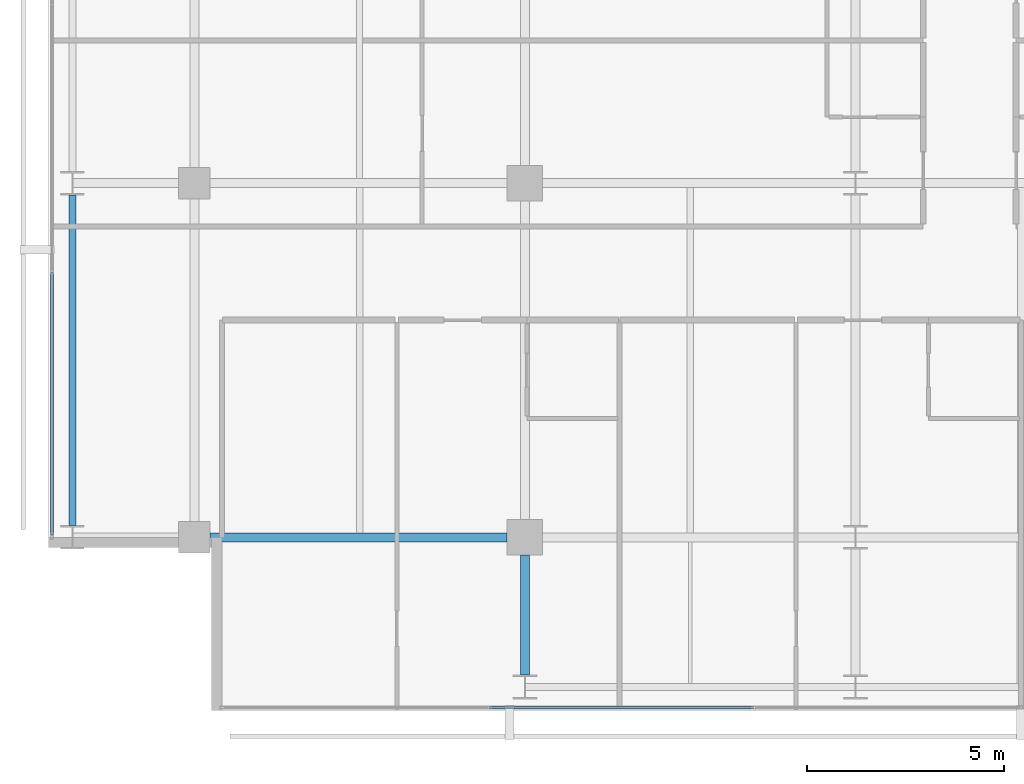
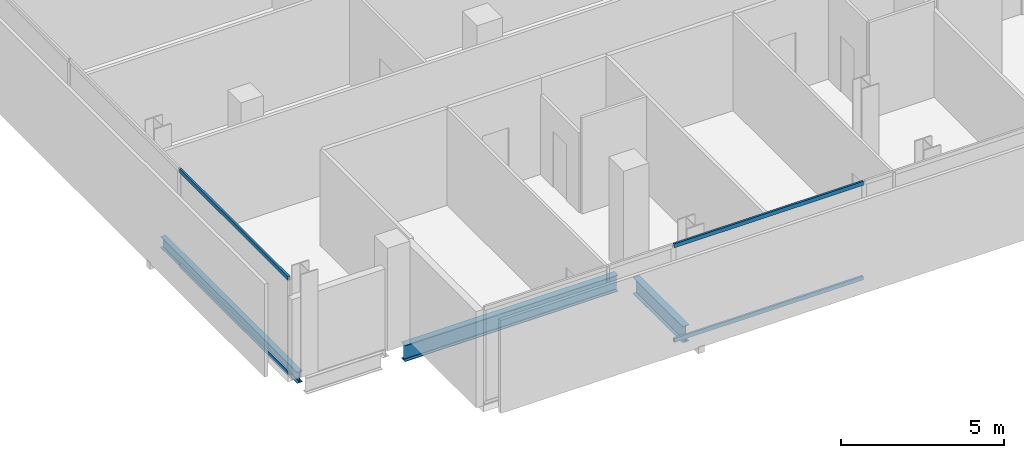
# One storey, part 3 of 33: 4 members, 3 beams, 2 elements without a shape of their own.
"""IFC4 building model written with IfcOpenShell, lengths in metres."""

import ifcopenshell
import ifcopenshell.guid

model = None  # the IFC model being written
_history = None  # IfcOwnerHistory: only IFC2X3 demands one
_inside = {}  # id of a spatial element -> (the spatial element, [elements in it])
_under = {}  # id of a project, library or spatial element -> (it, [spatial elements below it])
_declared = {}  # id of a project -> (the project, [libraries it declares])
_typed = {}  # id of a type object -> (the type object, [elements of that type])
_made_of = {}  # id of a material, layer set ... -> (it, [elements and type objects made of it])


def new_model(schema):
    """Start an empty IFC model of exactly this schema.

    Asked for "IFC4X3", IfcOpenShell would pick the latest addendum, in which some entities
    have other attributes; the version numbers below select the first issue.
    IFC2X3 requires an IfcOwnerHistory on every rooted entity: one is made here for all.
    """
    global model, _history
    if schema == "IFC4X3":
        model = ifcopenshell.file(schema_version=(4, 3, 0, 0))
    else:
        model = ifcopenshell.file(schema=schema)
    _inside.clear()
    _under.clear()
    _declared.clear()
    _typed.clear()
    _made_of.clear()
    _history = None
    if model.schema == "IFC2X3":
        org = make("IfcOrganization", Name="unknown")
        user = make(
            "IfcPersonAndOrganization",
            ThePerson=make("IfcPerson", FamilyName="unknown"),
            TheOrganization=org,
        )
        app = make(
            "IfcApplication",
            ApplicationDeveloper=org,
            Version="unknown",
            ApplicationFullName="unknown",
            ApplicationIdentifier="unknown",
        )
        _history = make(
            "IfcOwnerHistory",
            OwningUser=user,
            OwningApplication=app,
            ChangeAction="ADDED",
            CreationDate=0,
        )
    return model


def make(cls, **values):
    """One entity of the class cls with the attributes given. An attribute that is None is left unset."""
    return model.create_entity(
        cls, **{name: value for name, value in values.items() if value is not None}
    )


def rooted(cls, **values):
    """An entity with a GlobalId (a new one), such as an element, a storey or a relation."""
    return make(cls, GlobalId=ifcopenshell.guid.new(), OwnerHistory=_history, **values)


def si_unit(unit_type, name, prefix=None):
    """IfcSIUnit, for example si_unit("LENGTHUNIT", "METRE", prefix="MILLI")."""
    return make("IfcSIUnit", UnitType=unit_type, Prefix=prefix, Name=name)


def assignment(units):
    """IfcUnitAssignment: the units of a project."""
    return None if units is None else make("IfcUnitAssignment", Units=units)


def point(xyz):
    """IfcCartesianPoint."""
    return None if xyz is None else make("IfcCartesianPoint", Coordinates=xyz)


def direction(xyz):
    """IfcDirection."""
    return None if xyz is None else make("IfcDirection", DirectionRatios=xyz)


def frame(location, z_axis=None, x_axis=None):
    """IfcAxis2Placement3D, a coordinate frame: its origin and axes. An axis left out is left unset."""
    return make(
        "IfcAxis2Placement3D",
        Location=point(location),
        Axis=direction(z_axis),
        RefDirection=direction(x_axis),
    )


def frame_2d(location, x_axis=None):
    """IfcAxis2Placement2D, a coordinate frame in the plane: its origin and x axis."""
    return make(
        "IfcAxis2Placement2D", Location=point(location), RefDirection=direction(x_axis)
    )


def origin():
    """The frame at (0, 0, 0) with its axes left unset."""
    return frame((0.0, 0.0, 0.0))


def origin_2d():
    """The frame at (0, 0) in the plane with its x axis left unset."""
    return frame_2d((0.0, 0.0))


def place(relative_to, where):
    """IfcLocalPlacement: puts the frame where relative to a parent placement (None: the world)."""
    return make(
        "IfcLocalPlacement", PlacementRelTo=relative_to, RelativePlacement=where
    )


def context(
    kind, dimensions, precision=None, world=None, true_north=None, identifier=None
):
    """IfcGeometricRepresentationContext, for example the 3D "Model" context."""
    return make(
        "IfcGeometricRepresentationContext",
        ContextIdentifier=identifier,
        ContextType=kind,
        CoordinateSpaceDimension=dimensions,
        Precision=precision,
        WorldCoordinateSystem=world,
        TrueNorth=true_north,
    )


def subcontext(parent, identifier, kind, view, scale=None):
    """IfcGeometricRepresentationSubContext, for example "Body" below "Model"."""
    return make(
        "IfcGeometricRepresentationSubContext",
        ContextIdentifier=identifier,
        ContextType=kind,
        ParentContext=parent,
        TargetScale=scale,
        TargetView=view,
    )


def project(units=None, contexts=None):
    """IfcProject with its units and contexts."""
    return rooted(
        "IfcProject",
        Name="project",
        RepresentationContexts=contexts,
        UnitsInContext=assignment(units),
    )


def spatial(cls, under=None, at=None, **own):
    """A site, building, storey or space (cls), placed at a placement, below another one or the project."""
    s = rooted(cls, ObjectPlacement=at, **own)
    if under is not None:
        _under.setdefault(under.id(), (under, []))[1].append(s)
    return s


def profile(cls, at=None, kind="AREA", **sizes):
    """A parametric profile (cls). Its sizes go by their IFC names, for example OverallWidth=200.0."""
    return make(cls, ProfileType=kind, Position=at, **sizes)


def hollow_rectangle(**sizes):
    """IfcRectangleHollowProfileDef."""
    return profile("IfcRectangleHollowProfileDef", **sizes)


def i_section(**sizes):
    """IfcIShapeProfileDef."""
    return profile("IfcIShapeProfileDef", **sizes)


def extrude(swept, where, along, depth):
    """IfcExtrudedAreaSolid: the profile swept, set in the frame where, extruded along a direction by depth."""
    return make(
        "IfcExtrudedAreaSolid",
        SweptArea=swept,
        Position=where,
        ExtrudedDirection=direction(along),
        Depth=depth,
    )


def shape(context_of_items, identifier, shape_type, items):
    """IfcShapeRepresentation: the items that make up one representation, for example the "Body"."""
    return make(
        "IfcShapeRepresentation",
        ContextOfItems=context_of_items,
        RepresentationIdentifier=identifier,
        RepresentationType=shape_type,
        Items=items,
    )


def material(Name=None, Category=None):
    """IfcMaterial."""
    return make("IfcMaterial", Name=Name, Category=Category)


def layer(
    of_material, thickness, ventilated=None, Name=None, Category=None, Priority=None
):
    """IfcMaterialLayer: one layer of a wall or slab, of a material (None: an air gap)."""
    return make(
        "IfcMaterialLayer",
        Material=of_material,
        LayerThickness=thickness,
        IsVentilated=ventilated,
        Name=Name,
        Category=Category,
        Priority=Priority,
    )


def layer_set(layers, Name=None):
    """IfcMaterialLayerSet."""
    return make("IfcMaterialLayerSet", MaterialLayers=layers, LayerSetName=Name)


def material_profile(
    of_material, cross_section, Name=None, Category=None, Priority=None
):
    """IfcMaterialProfile: a cross section and its material."""
    return make(
        "IfcMaterialProfile",
        Name=Name,
        Material=of_material,
        Profile=cross_section,
        Priority=Priority,
        Category=Category,
    )


def profile_set(profiles, Name=None, composite=None):
    """IfcMaterialProfileSet."""
    return make(
        "IfcMaterialProfileSet",
        Name=Name,
        MaterialProfiles=profiles,
        CompositeProfile=composite,
    )


def made_of(thing, what):
    """Note that an element or type object is made of a material, layer set ...; save() writes the relation."""
    if what is not None:
        _made_of.setdefault(what.id(), (what, []))[1].append(thing)
    return thing


def type_object(cls, material=None, **own):
    """A type object (cls), such as IfcWallType, which elements share."""
    return made_of(rooted(cls, **own), material)


def element(
    cls,
    number,
    at=None,
    inside=None,
    cuts=None,
    type_object=None,
    material=None,
    context=None,
    identifier="Body",
    shape_type=None,
    held_by="IfcProductDefinitionShape",
    body=None,
    shapes=None,
    **own,
):
    """One element of the class cls, such as IfcWall. Its Tag is "e" and its number.

    at: its placement. inside: the storey or other place that contains it. cuts: it is an
    opening in that element (IfcRelVoidsElement). A single representation is given by context,
    identifier, shape_type and body (its items); several are given by shapes. held_by: the class
    of the entity that holds the representations. save() writes the other relations.
    """
    e = rooted(cls, Tag="e%d" % number, ObjectPlacement=at, **own)
    if body is not None:
        shapes = [shape(context, identifier, shape_type, body)]
    if shapes is not None:
        e.Representation = make(held_by, Representations=shapes)
    if inside is not None:
        _inside.setdefault(inside.id(), (inside, []))[1].append(e)
    if cuts is not None:
        rooted(
            "IfcRelVoidsElement", RelatingBuildingElement=cuts, RelatedOpeningElement=e
        )
    if type_object is not None:
        _typed.setdefault(type_object.id(), (type_object, []))[1].append(e)
    return made_of(e, material)


def aggregate(whole, parts):
    """IfcRelAggregates: a whole, such as a stair, and the parts it consists of."""
    return rooted("IfcRelAggregates", RelatingObject=whole, RelatedObjects=parts)


def save(model, path):
    """Write the relations noted so far, then the file.

    IfcRelAggregates (storeys below a building ...), IfcRelContainedInSpatialStructure (elements
    in a storey), IfcRelDefinesByType, IfcRelAssociatesMaterial and IfcRelDeclares: one each for
    every whole, place, type object, material and project.
    """
    for whole, parts in _under.values():
        aggregate(whole, parts)
    for where, things in _inside.values():
        rooted(
            "IfcRelContainedInSpatialStructure",
            RelatedElements=things,
            RelatingStructure=where,
        )
    for kind, things in _typed.values():
        rooted("IfcRelDefinesByType", RelatedObjects=things, RelatingType=kind)
    for what, things in _made_of.values():
        rooted("IfcRelAssociatesMaterial", RelatedObjects=things, RelatingMaterial=what)
    for by, libraries in _declared.values():
        rooted("IfcRelDeclares", RelatingContext=by, RelatedDefinitions=libraries)
    model.write(path)


model = new_model("IFC4")

# Units and contexts
model_context = context("Model", 3, precision=1e-05, world=origin(), true_north=direction((0.0, 1.0)))
body_context = subcontext(model_context, "Body", "Model", "MODEL_VIEW")
ifc_project = project(units=[si_unit("LENGTHUNIT", "METRE"), si_unit("AREAUNIT", "SQUARE_METRE"), si_unit("VOLUMEUNIT", "CUBIC_METRE"), si_unit("PLANEANGLEUNIT", "RADIAN"), si_unit("MASSUNIT", "GRAM", prefix="KILO")], contexts=[model_context])

# Site, building, storey
site_placement = place(None, origin())
site = spatial("IfcSite", under=ifc_project, at=site_placement, CompositionType="ELEMENT")
building_placement = place(site_placement, origin())
building = spatial("IfcBuilding", under=site, at=building_placement, Name="Maruvema Waterfront Hotel and Observation Tower", CompositionType="ELEMENT")
storey_placement = place(building_placement, frame((0.0, 0.0, 142.800048828125)))
storey = spatial("IfcBuildingStorey", under=building, at=storey_placement, Name="L34", CompositionType="ELEMENT", Elevation=142.800048828125)

# Curtain wall, members
ifc_material_1 = material(Name="Anodised bronze aluminium and solar-control low-E IGU", Category="aluminium")
ifc_layer = layer(ifc_material_1, 0.159912109375, Name="Zone 2 Amber Inner Thermal Curtain Wall System CW-03")
ifc_layer_set = layer_set([ifc_layer], Name="Anodised bronze aluminium and solar-control low-E IGU")
curtain_wall_type = type_object("IfcCurtainWallType", Name="Zone 2 Amber Inner Thermal Curtain Wall System CW-03", PredefinedType="USERDEFINED", material=ifc_layer_set)
curtain_wall_1_placement = place(storey_placement, origin())
curtain_wall_1 = element("IfcCurtainWall", 1, at=curtain_wall_1_placement, inside=storey, type_object=curtain_wall_type, Name="L34 Curtain Wall CW-L34-S", ObjectType="UNITISED CURTAIN WALL", PredefinedType="USERDEFINED")
ifc_material_2 = material(Name="Anodised architectural bronze aluminium", Category="aluminium")
ifc_material_profile_1 = material_profile(ifc_material_2, hollow_rectangle(XDim=0.070068359375, YDim=0.14990234375, WallThickness=0.00390625, at=origin_2d()), Name="ALU-T70x150")
ifc_profile_set_1 = profile_set([ifc_material_profile_1], Name="Anodised architectural bronze aluminium")
member_type = type_object("IfcMemberType", Name="Curtain Wall Horizontal Transom ALU-T70x150", PredefinedType="USERDEFINED", material=ifc_profile_set_1)
member_1_placement = place(storey_placement, frame((24.296630859375, 4.679931640625, 0.030029296875), z_axis=(1.0, 0.0, 0.0), x_axis=(0.0, 1.0, 0.0)))
member_1 = element("IfcMember", 2, at=member_1_placement, type_object=member_type, Name="CW-03 transom 2.1", ObjectType="TRANSOM", PredefinedType="USERDEFINED", context=body_context, shape_type="SweptSolid", body=[
    extrude(hollow_rectangle(XDim=0.070068359375, YDim=0.14990234375, WallThickness=0.00390625, at=origin_2d()), origin(), (0.0, 0.0, 1.0), 6.706787109375),
])
member_2_placement = place(storey_placement, frame((24.296630859375, 4.679931640625, 3.579833984375), z_axis=(1.0, 0.0, 0.0), x_axis=(0.0, 1.0, 0.0)))
member_2 = element("IfcMember", 3, at=member_2_placement, type_object=member_type, Name="CW-03 transom 2.2", ObjectType="TRANSOM", PredefinedType="USERDEFINED", context=body_context, shape_type="SweptSolid", body=[
    extrude(hollow_rectangle(XDim=0.070068359375, YDim=0.14990234375, WallThickness=0.00390625, at=origin_2d()), origin(), (0.0, 0.0, 1.0), 6.706787109375),
])
aggregate(curtain_wall_1, [member_1, member_2])

curtain_wall_2_placement = place(storey_placement, origin())
curtain_wall_2 = element("IfcCurtainWall", 4, at=curtain_wall_2_placement, inside=storey, type_object=curtain_wall_type, Name="L34 Curtain Wall CW-L34-W", ObjectType="UNITISED CURTAIN WALL", PredefinedType="USERDEFINED")
member_3_placement = place(storey_placement, frame((13.179931640625, 15.736572265625, 0.030029296875), z_axis=(0.0, -1.0, 0.0), x_axis=(1.0, 0.0, 0.0)))
member_3 = element("IfcMember", 5, at=member_3_placement, type_object=member_type, Name="CW-03 transom 6.1", ObjectType="TRANSOM", PredefinedType="USERDEFINED", context=body_context, shape_type="SweptSolid", body=[
    extrude(hollow_rectangle(XDim=0.070068359375, YDim=0.14990234375, WallThickness=0.00390625, at=origin_2d()), origin(), (0.0, 0.0, 1.0), 6.676513671875),
])
member_4_placement = place(storey_placement, frame((13.179931640625, 15.736572265625, 3.579833984375), z_axis=(0.0, -1.0, 0.0), x_axis=(1.0, 0.0, 0.0)))
member_4 = element("IfcMember", 6, at=member_4_placement, type_object=member_type, Name="CW-03 transom 6.2", ObjectType="TRANSOM", PredefinedType="USERDEFINED", context=body_context, shape_type="SweptSolid", body=[
    extrude(hollow_rectangle(XDim=0.070068359375, YDim=0.14990234375, WallThickness=0.00390625, at=origin_2d()), origin(), (0.0, 0.0, 1.0), 6.676513671875),
])
aggregate(curtain_wall_2, [member_3, member_4])

# Beams
ifc_material_3 = material(Name="Steel ASTM A572 Grade 50", Category="steel")
ifc_material_profile_2 = material_profile(ifc_material_3, i_section(OverallWidth=0.180908203125, OverallDepth=0.4169921875, WebThickness=0.010986328125, FlangeThickness=0.018310546875, FilletRadius=0.014892578125, at=origin_2d()), Name="W410x85.0")
ifc_profile_set_2 = profile_set([ifc_material_profile_2], Name="Steel ASTM A572 Grade 50")
beam_type_1 = type_object("IfcBeamType", Name="Perimeter Spandrel Beam W410x85.0", PredefinedType="SPANDREL", material=ifc_profile_set_2)
beam_1_placement = place(storey_placement, frame((13.699951171875, 9.300048828125, -0.448486328125), z_axis=(0.0, 1.0, 0.0), x_axis=(-1.0, 0.0, 0.0)))
element("IfcBeam", 7, at=beam_1_placement, inside=storey, type_object=beam_type_1, Name="L34 Floor Girder NS-01", PredefinedType="SPANDREL", context=body_context, shape_type="SweptSolid", body=[
    extrude(i_section(OverallWidth=0.180908203125, OverallDepth=0.4169921875, WebThickness=0.010986328125, FlangeThickness=0.018310546875, FilletRadius=0.014892578125, at=origin_2d()), origin(), (0.0, 0.0, 1.0), 8.39990234375),
])
ifc_material_4 = material(Name="Steel ASTM A572 Grade 50", Category="steel")
ifc_material_profile_3 = material_profile(ifc_material_4, i_section(OverallWidth=0.22900390625, OverallDepth=0.612060546875, WebThickness=0.011962890625, FlangeThickness=0.01953125, FilletRadius=0.01806640625, at=origin_2d()), Name="W610x125.0")
ifc_profile_set_3 = profile_set([ifc_material_profile_3], Name="Steel ASTM A572 Grade 50")
beam_type_2 = type_object("IfcBeamType", Name="Primary Floor Girder W610x125.0", PredefinedType="BEAM", material=ifc_profile_set_3)
beam_2_placement = place(storey_placement, frame((17.199951171875, 9.0, -0.546142578125), z_axis=(1.0, 0.0, 0.0), x_axis=(0.0, 1.0, 0.0)))
element("IfcBeam", 8, at=beam_2_placement, inside=storey, type_object=beam_type_2, Name="L34 Floor Girder EW-05", PredefinedType="BEAM", context=body_context, shape_type="SweptSolid", body=[
    extrude(i_section(OverallWidth=0.22900390625, OverallDepth=0.612060546875, WebThickness=0.011962890625, FlangeThickness=0.01953125, FilletRadius=0.01806640625, at=origin_2d()), origin(), (0.0, 0.0, 1.0), 7.550048828125),
])
beam_3_placement = place(storey_placement, frame((25.199951171875, 5.5, -0.546142578125), z_axis=(0.0, 1.0, 0.0), x_axis=(-1.0, 0.0, 0.0)))
element("IfcBeam", 9, at=beam_3_placement, inside=storey, type_object=beam_type_2, Name="L34 Floor Girder NS-09", PredefinedType="BEAM", context=body_context, shape_type="SweptSolid", body=[
    extrude(i_section(OverallWidth=0.22900390625, OverallDepth=0.612060546875, WebThickness=0.011962890625, FlangeThickness=0.01953125, FilletRadius=0.01806640625, at=origin_2d()), origin(), (0.0, 0.0, 1.0), 3.050048828125),
])

save(model, "model.ifc")
